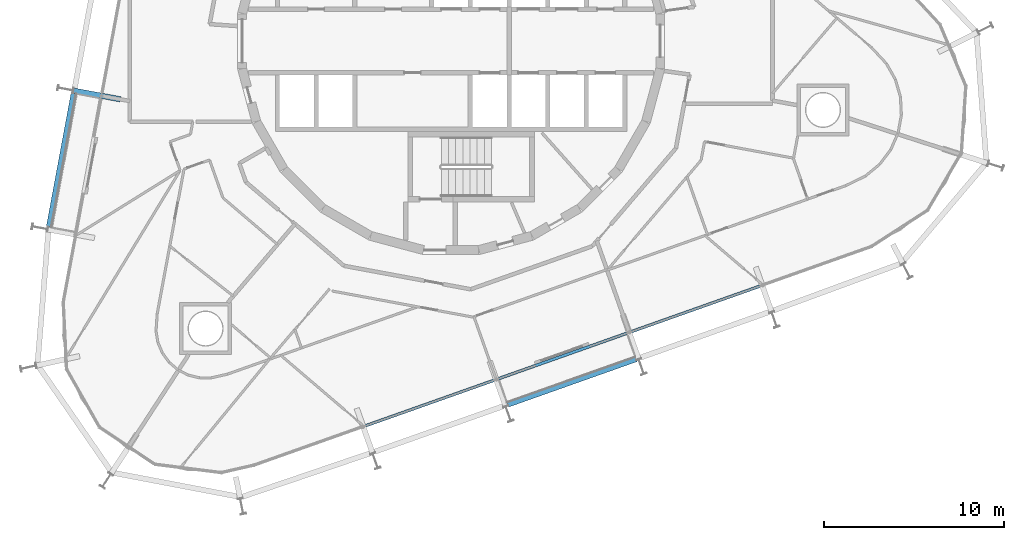
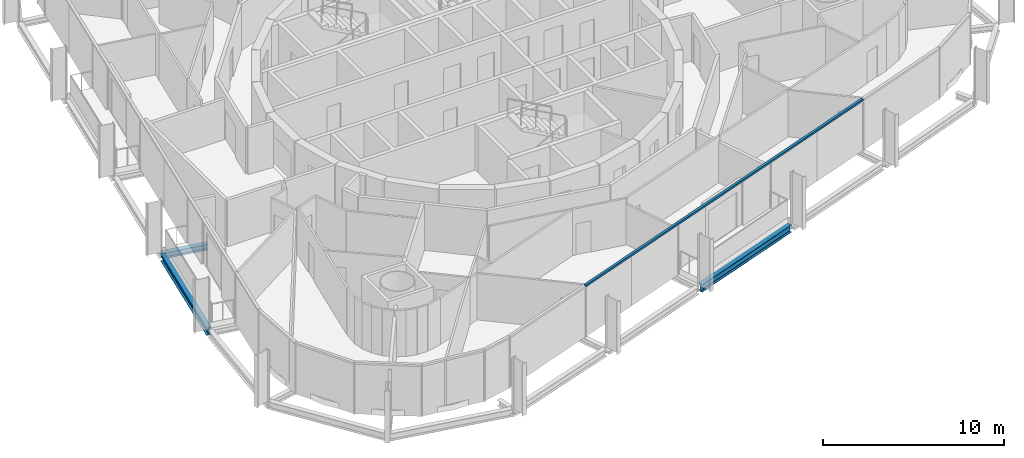
# One storey, part 3 of 17: 3 beams, 1 member, 1 element without a shape of its own.
"""IFC4 building model written with IfcOpenShell, lengths in metres."""

from ifc_helpers import new_model, si_unit, direction, frame, origin, origin_2d, place, context, subcontext, project, spatial, rectangle, i_section, extrude, material, layer, layer_set, material_profile, profile_set, type_object, element, aggregate, save


model = new_model("IFC4")

# Units and contexts
model_context = context("Model", 3, precision=1e-05, world=origin(), true_north=direction((0.0, 1.0)))
body_context = subcontext(model_context, "Body", "Model", "MODEL_VIEW")
ifc_project = project(units=[si_unit("LENGTHUNIT", "METRE"), si_unit("AREAUNIT", "SQUARE_METRE"), si_unit("VOLUMEUNIT", "CUBIC_METRE"), si_unit("PLANEANGLEUNIT", "RADIAN"), si_unit("MASSUNIT", "GRAM", prefix="KILO")], contexts=[model_context])

# Site, building, storey
site_placement = place(None, origin())
site = spatial("IfcSite", under=ifc_project, at=site_placement, CompositionType="ELEMENT")
building_placement = place(site_placement, origin())
building = spatial("IfcBuilding", under=site, at=building_placement, Name="Spindle Arch Residences", CompositionType="ELEMENT")
storey_placement = place(building_placement, frame((0.0, 0.0, 162.199951171875)))
storey = spatial("IfcBuildingStorey", under=building, at=storey_placement, Name="L40", CompositionType="ELEMENT", Elevation=162.199951171875)

# Curtain wall, member
ifc_material_1 = material(Name="Aluminium bronze unitised frame with tinted glass", Category="aluminium")
ifc_layer = layer(ifc_material_1, 0.159912109375)
ifc_layer_set = layer_set([ifc_layer], Name="CW-C typical residential unitised wall")
curtain_wall_type = type_object("IfcCurtainWallType", Name="CW-C typical residential unitised wall", PredefinedType="NOTDEFINED", material=ifc_layer_set)
curtain_wall_placement = place(storey_placement, origin())
curtain_wall = element("IfcCurtainWall", 1, at=curtain_wall_placement, inside=storey, type_object=curtain_wall_type, Name="CW-C L40 run 6", PredefinedType="NOTDEFINED")
ifc_material_2 = material(Name="Aluminium bronze anodised transom", Category="aluminium")
ifc_material_profile_1 = material_profile(ifc_material_2, rectangle(XDim=0.159912109375, YDim=0.1201171875, at=origin_2d()), Name="TR 120x160")
ifc_profile_set_1 = profile_set([ifc_material_profile_1], Name="Aluminium bronze anodised transom")
member_type = type_object("IfcMemberType", Name="Bronze transom 120x160", PredefinedType="USERDEFINED", material=ifc_profile_set_1)
member_placement = place(storey_placement, frame((-4.87255859375, -21.470947265625, 3.06005859375), z_axis=(0.94264008639, 0.333810825963, 0.0), x_axis=(-0.333810825963, 0.94264008639, 0.0)))
member = element("IfcMember", 2, at=member_placement, type_object=member_type, Name="CW-C transom 00", ObjectType="TRANSOM", PredefinedType="USERDEFINED", context=body_context, shape_type="SweptSolid", body=[
    extrude(rectangle(XDim=0.159912109375, YDim=0.1201171875, at=origin_2d()), origin(), (0.0, 0.0, 1.0), 23.520263671875),
])
aggregate(curtain_wall, [member])

# Beams
ifc_material_3 = material(Name="Steel S460ML, intumescent coating R 120", Category="steel")
ifc_material_profile_2 = material_profile(ifc_material_3, i_section(OverallWidth=0.300048828125, OverallDepth=0.5, WebThickness=0.014404296875, FlangeThickness=0.028076171875, FilletRadius=0.027099609375, at=origin_2d()), Name="HEB 500")
ifc_profile_set_2 = profile_set([ifc_material_profile_2], Name="Steel S460ML, intumescent coating R 120")
beam_type_1 = type_object("IfcBeamType", Name="Exoskeleton edge beam HEB 500", PredefinedType="BEAM", material=ifc_profile_set_2)
for number, where, z_axis, x_axis, name in (
    (3, (-21.02294921875, -2.8974609375, -0.6298828125), (-0.182234195466, -0.983255154069, 0.0), (0.983255154069, -0.182234195466, 0.0), "Exoskeleton edge beam 16"),
    (4, (3.141845703125, -20.256103515625, -0.6298828125), (0.942633964352, 0.33382811333, 0.0), (-0.33382811333, 0.942633964352, 0.0), "Exoskeleton edge beam 22"),
):
    element("IfcBeam", number, at=place(storey_placement, frame(where, z_axis=z_axis, x_axis=x_axis)), inside=storey, type_object=beam_type_1, Name=name, PredefinedType="BEAM", context=body_context, shape_type="SweptSolid", body=[
        extrude(i_section(OverallWidth=0.300048828125, OverallDepth=0.5, WebThickness=0.014404296875, FlangeThickness=0.028076171875, FilletRadius=0.027099609375, at=origin_2d()), origin(), (0.0, 0.0, 1.0), 7.60009765625),
    ])
ifc_material_4 = material(Name="Steel S460ML, intumescent coating R 120", Category="steel")
ifc_material_profile_3 = material_profile(ifc_material_4, i_section(OverallWidth=0.300048828125, OverallDepth=0.389892578125, WebThickness=0.010986328125, FlangeThickness=0.01904296875, FilletRadius=0.027099609375, at=origin_2d()), Name="HEA 400")
ifc_profile_set_3 = profile_set([ifc_material_profile_3], Name="Steel S460ML, intumescent coating R 120")
beam_type_2 = type_object("IfcBeamType", Name="Floor outrigger HEA 400", PredefinedType="BEAM", material=ifc_profile_set_3)
beam_placement = place(storey_placement, frame((-21.03857421875, -2.76220703125, -0.574951171875), z_axis=(0.983253888741, -0.182241022482, 0.0), x_axis=(0.182241022482, 0.983253888741, 0.0)))
element("IfcBeam", 5, at=beam_placement, inside=storey, type_object=beam_type_2, Name="Floor outrigger 16", PredefinedType="BEAM", context=body_context, shape_type="SweptSolid", body=[
    extrude(i_section(OverallWidth=0.300048828125, OverallDepth=0.389892578125, WebThickness=0.010986328125, FlangeThickness=0.01904296875, FilletRadius=0.027099609375, at=origin_2d()), origin(), (0.0, 0.0, 1.0), 2.64990234375),
])

save(model, "model.ifc")
